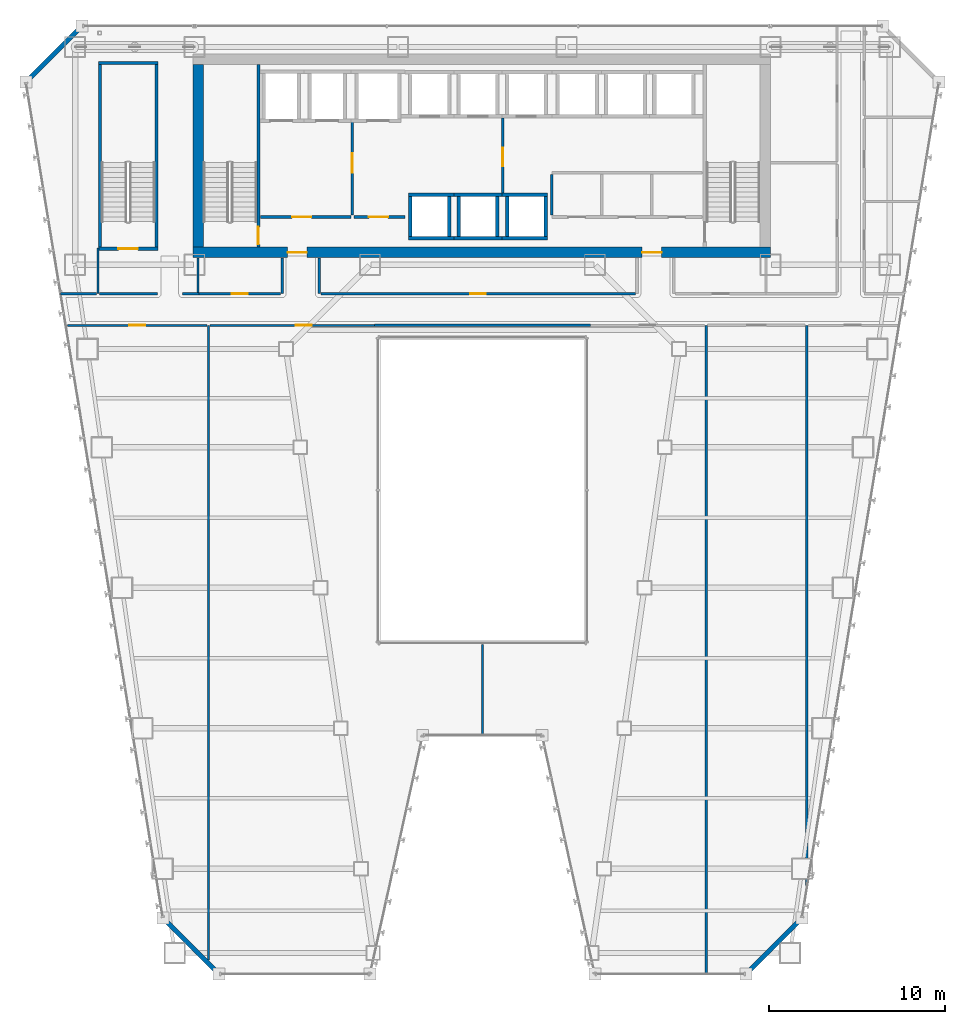
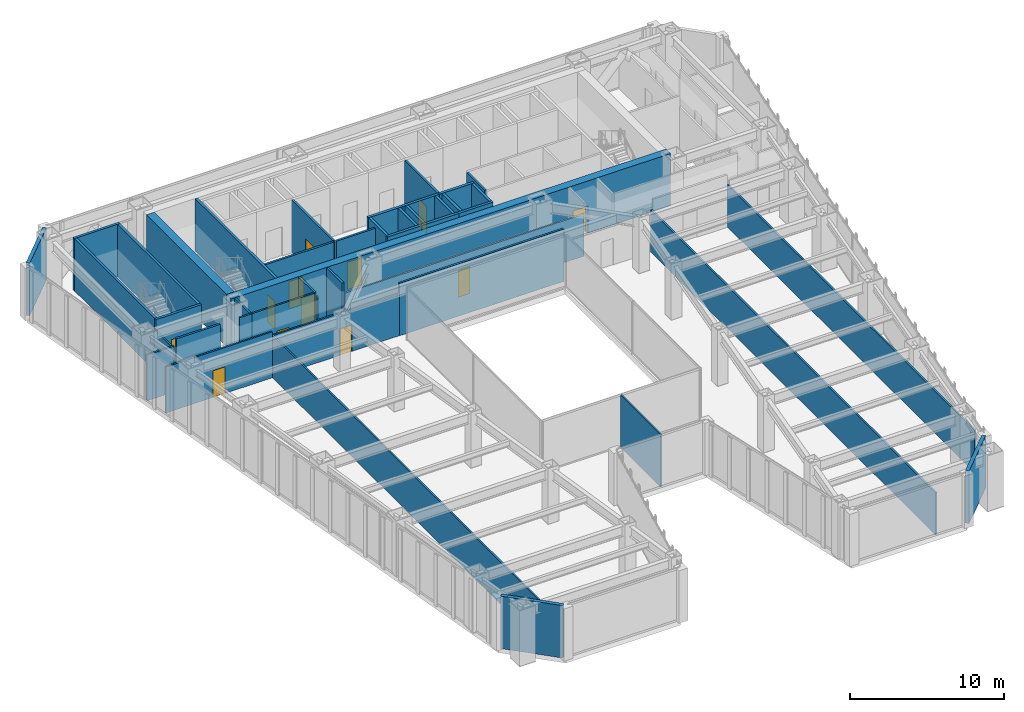
# One storey, part 36 of 49: 43 walls, 12 doors, 12 openings.
"""IFC4 building model written with IfcOpenShell, lengths in metres."""

import ifcopenshell
import ifcopenshell.guid

model = None  # the IFC model being written
_history = None  # IfcOwnerHistory: only IFC2X3 demands one
_inside = {}  # id of a spatial element -> (the spatial element, [elements in it])
_under = {}  # id of a project, library or spatial element -> (it, [spatial elements below it])
_declared = {}  # id of a project -> (the project, [libraries it declares])
_typed = {}  # id of a type object -> (the type object, [elements of that type])
_made_of = {}  # id of a material, layer set ... -> (it, [elements and type objects made of it])


def new_model(schema):
    """Start an empty IFC model of exactly this schema.

    Asked for "IFC4X3", IfcOpenShell would pick the latest addendum, in which some entities
    have other attributes; the version numbers below select the first issue.
    IFC2X3 requires an IfcOwnerHistory on every rooted entity: one is made here for all.
    """
    global model, _history
    if schema == "IFC4X3":
        model = ifcopenshell.file(schema_version=(4, 3, 0, 0))
    else:
        model = ifcopenshell.file(schema=schema)
    _inside.clear()
    _under.clear()
    _declared.clear()
    _typed.clear()
    _made_of.clear()
    _history = None
    if model.schema == "IFC2X3":
        org = make("IfcOrganization", Name="unknown")
        user = make(
            "IfcPersonAndOrganization",
            ThePerson=make("IfcPerson", FamilyName="unknown"),
            TheOrganization=org,
        )
        app = make(
            "IfcApplication",
            ApplicationDeveloper=org,
            Version="unknown",
            ApplicationFullName="unknown",
            ApplicationIdentifier="unknown",
        )
        _history = make(
            "IfcOwnerHistory",
            OwningUser=user,
            OwningApplication=app,
            ChangeAction="ADDED",
            CreationDate=0,
        )
    return model


def make(cls, **values):
    """One entity of the class cls with the attributes given. An attribute that is None is left unset."""
    return model.create_entity(
        cls, **{name: value for name, value in values.items() if value is not None}
    )


def rooted(cls, **values):
    """An entity with a GlobalId (a new one), such as an element, a storey or a relation."""
    return make(cls, GlobalId=ifcopenshell.guid.new(), OwnerHistory=_history, **values)


def si_unit(unit_type, name, prefix=None):
    """IfcSIUnit, for example si_unit("LENGTHUNIT", "METRE", prefix="MILLI")."""
    return make("IfcSIUnit", UnitType=unit_type, Prefix=prefix, Name=name)


def assignment(units):
    """IfcUnitAssignment: the units of a project."""
    return None if units is None else make("IfcUnitAssignment", Units=units)


def point(xyz):
    """IfcCartesianPoint."""
    return None if xyz is None else make("IfcCartesianPoint", Coordinates=xyz)


def direction(xyz):
    """IfcDirection."""
    return None if xyz is None else make("IfcDirection", DirectionRatios=xyz)


def frame(location, z_axis=None, x_axis=None):
    """IfcAxis2Placement3D, a coordinate frame: its origin and axes. An axis left out is left unset."""
    return make(
        "IfcAxis2Placement3D",
        Location=point(location),
        Axis=direction(z_axis),
        RefDirection=direction(x_axis),
    )


def frame_2d(location, x_axis=None):
    """IfcAxis2Placement2D, a coordinate frame in the plane: its origin and x axis."""
    return make(
        "IfcAxis2Placement2D", Location=point(location), RefDirection=direction(x_axis)
    )


def origin():
    """The frame at (0, 0, 0) with its axes left unset."""
    return frame((0.0, 0.0, 0.0))


def place(relative_to, where):
    """IfcLocalPlacement: puts the frame where relative to a parent placement (None: the world)."""
    return make(
        "IfcLocalPlacement", PlacementRelTo=relative_to, RelativePlacement=where
    )


def context(
    kind, dimensions, precision=None, world=None, true_north=None, identifier=None
):
    """IfcGeometricRepresentationContext, for example the 3D "Model" context."""
    return make(
        "IfcGeometricRepresentationContext",
        ContextIdentifier=identifier,
        ContextType=kind,
        CoordinateSpaceDimension=dimensions,
        Precision=precision,
        WorldCoordinateSystem=world,
        TrueNorth=true_north,
    )


def subcontext(parent, identifier, kind, view, scale=None):
    """IfcGeometricRepresentationSubContext, for example "Body" below "Model"."""
    return make(
        "IfcGeometricRepresentationSubContext",
        ContextIdentifier=identifier,
        ContextType=kind,
        ParentContext=parent,
        TargetScale=scale,
        TargetView=view,
    )


def project(units=None, contexts=None):
    """IfcProject with its units and contexts."""
    return rooted(
        "IfcProject",
        Name="project",
        RepresentationContexts=contexts,
        UnitsInContext=assignment(units),
    )


def spatial(cls, under=None, at=None, **own):
    """A site, building, storey or space (cls), placed at a placement, below another one or the project."""
    s = rooted(cls, ObjectPlacement=at, **own)
    if under is not None:
        _under.setdefault(under.id(), (under, []))[1].append(s)
    return s


def profile(cls, at=None, kind="AREA", **sizes):
    """A parametric profile (cls). Its sizes go by their IFC names, for example OverallWidth=200.0."""
    return make(cls, ProfileType=kind, Position=at, **sizes)


def rectangle(**sizes):
    """IfcRectangleProfileDef."""
    return profile("IfcRectangleProfileDef", **sizes)


def extrude(swept, where, along, depth):
    """IfcExtrudedAreaSolid: the profile swept, set in the frame where, extruded along a direction by depth."""
    return make(
        "IfcExtrudedAreaSolid",
        SweptArea=swept,
        Position=where,
        ExtrudedDirection=direction(along),
        Depth=depth,
    )


def shape(context_of_items, identifier, shape_type, items):
    """IfcShapeRepresentation: the items that make up one representation, for example the "Body"."""
    return make(
        "IfcShapeRepresentation",
        ContextOfItems=context_of_items,
        RepresentationIdentifier=identifier,
        RepresentationType=shape_type,
        Items=items,
    )


def material(Name=None, Category=None):
    """IfcMaterial."""
    return make("IfcMaterial", Name=Name, Category=Category)


def layer(
    of_material, thickness, ventilated=None, Name=None, Category=None, Priority=None
):
    """IfcMaterialLayer: one layer of a wall or slab, of a material (None: an air gap)."""
    return make(
        "IfcMaterialLayer",
        Material=of_material,
        LayerThickness=thickness,
        IsVentilated=ventilated,
        Name=Name,
        Category=Category,
        Priority=Priority,
    )


def layer_set(layers, Name=None):
    """IfcMaterialLayerSet."""
    return make("IfcMaterialLayerSet", MaterialLayers=layers, LayerSetName=Name)


def made_of(thing, what):
    """Note that an element or type object is made of a material, layer set ...; save() writes the relation."""
    if what is not None:
        _made_of.setdefault(what.id(), (what, []))[1].append(thing)
    return thing


def type_object(cls, material=None, **own):
    """A type object (cls), such as IfcWallType, which elements share."""
    return made_of(rooted(cls, **own), material)


def element(
    cls,
    number,
    at=None,
    inside=None,
    cuts=None,
    type_object=None,
    material=None,
    context=None,
    identifier="Body",
    shape_type=None,
    held_by="IfcProductDefinitionShape",
    body=None,
    shapes=None,
    **own,
):
    """One element of the class cls, such as IfcWall. Its Tag is "e" and its number.

    at: its placement. inside: the storey or other place that contains it. cuts: it is an
    opening in that element (IfcRelVoidsElement). A single representation is given by context,
    identifier, shape_type and body (its items); several are given by shapes. held_by: the class
    of the entity that holds the representations. save() writes the other relations.
    """
    e = rooted(cls, Tag="e%d" % number, ObjectPlacement=at, **own)
    if body is not None:
        shapes = [shape(context, identifier, shape_type, body)]
    if shapes is not None:
        e.Representation = make(held_by, Representations=shapes)
    if inside is not None:
        _inside.setdefault(inside.id(), (inside, []))[1].append(e)
    if cuts is not None:
        rooted(
            "IfcRelVoidsElement", RelatingBuildingElement=cuts, RelatedOpeningElement=e
        )
    if type_object is not None:
        _typed.setdefault(type_object.id(), (type_object, []))[1].append(e)
    return made_of(e, material)


def fill(opening, filler):
    """IfcRelFillsElement: the door or window that sits in an opening."""
    return rooted(
        "IfcRelFillsElement",
        RelatingOpeningElement=opening,
        RelatedBuildingElement=filler,
    )


def aggregate(whole, parts):
    """IfcRelAggregates: a whole, such as a stair, and the parts it consists of."""
    return rooted("IfcRelAggregates", RelatingObject=whole, RelatedObjects=parts)


def save(model, path):
    """Write the relations noted so far, then the file.

    IfcRelAggregates (storeys below a building ...), IfcRelContainedInSpatialStructure (elements
    in a storey), IfcRelDefinesByType, IfcRelAssociatesMaterial and IfcRelDeclares: one each for
    every whole, place, type object, material and project.
    """
    for whole, parts in _under.values():
        aggregate(whole, parts)
    for where, things in _inside.values():
        rooted(
            "IfcRelContainedInSpatialStructure",
            RelatedElements=things,
            RelatingStructure=where,
        )
    for kind, things in _typed.values():
        rooted("IfcRelDefinesByType", RelatedObjects=things, RelatingType=kind)
    for what, things in _made_of.values():
        rooted("IfcRelAssociatesMaterial", RelatedObjects=things, RelatingMaterial=what)
    for by, libraries in _declared.values():
        rooted("IfcRelDeclares", RelatingContext=by, RelatedDefinitions=libraries)
    model.write(path)


model = new_model("IFC4")

# Units and contexts
model_context = context("Model", 3, precision=1e-05, world=origin(), true_north=direction((0.0, 1.0)))
body_context = subcontext(model_context, "Body", "Model", "MODEL_VIEW")
ifc_project = project(units=[si_unit("LENGTHUNIT", "METRE"), si_unit("AREAUNIT", "SQUARE_METRE"), si_unit("VOLUMEUNIT", "CUBIC_METRE"), si_unit("PLANEANGLEUNIT", "RADIAN"), si_unit("MASSUNIT", "GRAM", prefix="KILO")], contexts=[model_context])

# Site, building, storey
site_placement = place(None, origin())
site = spatial("IfcSite", under=ifc_project, at=site_placement, CompositionType="ELEMENT")
building_placement = place(site_placement, origin())
building = spatial("IfcBuilding", under=site, at=building_placement, Name="Saevonmaru Cultural Tower", CompositionType="ELEMENT")
storey_placement = place(building_placement, frame((0.0, 0.0, 38.39990234375)))
storey = spatial("IfcBuildingStorey", under=building, at=storey_placement, Name="L07", CompositionType="ELEMENT", Elevation=38.39990234375)

# Wall, openings, doors
ifc_material_1 = material(Name="Concrete C60/75", Category="concrete")
ifc_layer_1 = layer(ifc_material_1, 0.60009765625, Name="Concrete C60/75")
ifc_layer_set_1 = layer_set([ifc_layer_1], Name="Concrete C60/75")
wall_type_1 = type_object("IfcWallType", Name="WL-CORE-600", PredefinedType="SHEAR", material=ifc_layer_set_1)
wall_1_placement = place(storey_placement, frame((13.5, 43.10009765625, 0.0), z_axis=(0.0, 0.0, 1.0), x_axis=(1.0, 0.0, 0.0)))
wall_1 = element("IfcWall", 1, at=wall_1_placement, inside=storey, type_object=wall_type_1, Name="L07 Tower RC core shear wall S", PredefinedType="SHEAR", context=body_context, shape_type="SweptSolid", body=[
    extrude(rectangle(XDim=32.89990234375, YDim=0.60009765625, at=frame_2d((16.449951171875, 0.0))), origin(), (0.0, 0.0, 1.0), 4.150146484375),
])
opening_1_placement = place(wall_1_placement, frame((5.39990234375, 0.0, 0.0)))
opening_1 = element("IfcOpeningElement", 2, at=opening_1_placement, cuts=wall_1, Name="Opening FD-2", PredefinedType="OPENING", context=body_context, shape_type="SweptSolid", body=[
    extrude(rectangle(XDim=1.10009765625, YDim=2.14990234375, at=frame_2d((0.550048828125, 1.074951171875))), frame((0.0, 0.31005859375, 0.0), z_axis=(0.0, -1.0, 0.0), x_axis=(1.0, 0.0, 0.0)), (0.0, 0.0, 1.0), 0.6201171875),
])
opening_2_placement = place(wall_1_placement, frame((25.60009765625, 0.0, 0.0)))
opening_2 = element("IfcOpeningElement", 3, at=opening_2_placement, cuts=wall_1, Name="Opening FD-2", PredefinedType="OPENING", context=body_context, shape_type="SweptSolid", body=[
    extrude(rectangle(XDim=1.10009765625, YDim=2.14990234375, at=frame_2d((0.550048828125, 1.074951171875))), frame((0.0, 0.31005859375, 0.0), z_axis=(0.0, -1.0, 0.0), x_axis=(1.0, 0.0, 0.0)), (0.0, 0.0, 1.0), 0.6201171875),
])
ifc_material_2 = material(Name="Satin Bronze Anodised Aluminium", Category="aluminium")
door_type_1 = type_object("IfcDoorType", Name="DR-FD60-1100", OperationType="SINGLE_SWING_LEFT", PredefinedType="DOOR", material=ifc_material_2)
door_1_placement = place(opening_1_placement, origin())
door_1 = element("IfcDoor", 4, at=door_1_placement, inside=storey, type_object=door_type_1, Name="L07 Core West Lobby Fire Door", OperationType="SINGLE_SWING_LEFT", OverallHeight=2.14990234375, OverallWidth=1.10009765625, PredefinedType="DOOR", context=body_context, shape_type="SweptSolid", body=[
    extrude(rectangle(XDim=1.10009765625, YDim=2.14990234375, at=frame_2d((0.550048828125, 1.074951171875))), frame((0.0, 0.02490234375, 0.0), z_axis=(0.0, -1.0, 0.0), x_axis=(1.0, 0.0, 0.0)), (0.0, 0.0, 1.0), 0.050048828125),
])
fill(opening_1, door_1)
door_2_placement = place(opening_2_placement, origin())
door_2 = element("IfcDoor", 5, at=door_2_placement, inside=storey, type_object=door_type_1, Name="L07 Core East Lobby Fire Door", OperationType="SINGLE_SWING_LEFT", OverallHeight=2.14990234375, OverallWidth=1.10009765625, PredefinedType="DOOR", context=body_context, shape_type="SweptSolid", body=[
    extrude(rectangle(XDim=1.10009765625, YDim=2.14990234375, at=frame_2d((0.550048828125, 1.074951171875))), frame((0.0, 0.02490234375, 0.0), z_axis=(0.0, -1.0, 0.0), x_axis=(1.0, 0.0, 0.0)), (0.0, 0.0, 1.0), 0.050048828125),
])
fill(opening_2, door_2)

# Wall
wall_2_placement = place(storey_placement, frame((13.800048828125, 43.39990234375, 0.0), z_axis=(0.0, 0.0, 1.0), x_axis=(0.0, 1.0, 0.0)))
element("IfcWall", 6, at=wall_2_placement, inside=storey, type_object=wall_type_1, Name="L07 Tower RC core shear wall W", PredefinedType="SHEAR", context=body_context, shape_type="SweptSolid", body=[
    extrude(rectangle(XDim=10.400146484375, YDim=0.60009765625, at=frame_2d((5.2001953125, 0.0))), origin(), (0.0, 0.0, 1.0), 4.150146484375),
])

# Wall, opening, door
ifc_material_3 = material(Name="Gypsum Fireboard Partition", Category="gypsum")
ifc_layer_2 = layer(ifc_material_3, 0.14990234375, Name="Gypsum Fireboard Partition")
ifc_layer_set_2 = layer_set([ifc_layer_2], Name="Gypsum Fireboard Partition")
wall_type_2 = type_object("IfcWallType", Name="WL-CORE-PART-150", PredefinedType="PARTITIONING", material=ifc_layer_set_2)
wall_3_placement = place(storey_placement, frame((17.360107421875, 45.1201171875, 0.0), z_axis=(0.0, 0.0, 1.0), x_axis=(1.0, 0.0, 0.0)))
wall_3 = element("IfcWall", 7, at=wall_3_placement, inside=storey, type_object=wall_type_2, Name="L07 Firefighting Lift Lobby South Wall", PredefinedType="PARTITIONING", context=body_context, shape_type="SweptSolid", body=[
    extrude(rectangle(XDim=5.139892578125, YDim=0.14990234375, at=frame_2d((2.56982421875, 0.0))), origin(), (0.0, 0.0, 1.0), 4.150146484375),
])
opening_3_placement = place(wall_3_placement, frame((1.800048828125, 0.0, 0.0)))
opening_3 = element("IfcOpeningElement", 8, at=opening_3_placement, cuts=wall_3, Name="Opening FD-2", PredefinedType="OPENING", context=body_context, shape_type="SweptSolid", body=[
    extrude(rectangle(XDim=1.10009765625, YDim=2.14990234375, at=frame_2d((0.550048828125, 1.074951171875))), frame((0.0, 0.0849609375, 0.0), z_axis=(0.0, -1.0, 0.0), x_axis=(1.0, 0.0, 0.0)), (0.0, 0.0, 1.0), 0.169921875),
])
door_3_placement = place(opening_3_placement, origin())
door_3 = element("IfcDoor", 9, at=door_3_placement, inside=storey, type_object=door_type_1, Name="L07 Firefighting Lift Lobby South Door", OperationType="SINGLE_SWING_LEFT", OverallHeight=2.14990234375, OverallWidth=1.10009765625, PredefinedType="DOOR", context=body_context, shape_type="SweptSolid", body=[
    extrude(rectangle(XDim=1.10009765625, YDim=2.14990234375, at=frame_2d((0.550048828125, 1.074951171875))), frame((0.0, 0.02490234375, 0.0), z_axis=(0.0, -1.0, 0.0), x_axis=(1.0, 0.0, 0.0)), (0.0, 0.0, 1.0), 0.050048828125),
])
fill(opening_3, door_3)

wall_4_placement = place(storey_placement, frame((22.580078125, 50.550048828125, 0.0), z_axis=(0.0, 0.0, 1.0), x_axis=(0.0, -1.0, 0.0)))
wall_4 = element("IfcWall", 10, at=wall_4_placement, inside=storey, type_object=wall_type_2, Name="L07 Firefighting Lift Lobby East Wall", PredefinedType="PARTITIONING", context=body_context, shape_type="SweptSolid", body=[
    extrude(rectangle(XDim=5.330078125, YDim=0.14990234375, at=frame_2d((2.6650390625, 0.0))), origin(), (0.0, 0.0, 1.0), 4.150146484375),
])
opening_4_placement = place(wall_4_placement, frame((1.800048828125, 0.0, 0.0)))
opening_4 = element("IfcOpeningElement", 11, at=opening_4_placement, cuts=wall_4, Name="Opening FD-2", PredefinedType="OPENING", context=body_context, shape_type="SweptSolid", body=[
    extrude(rectangle(XDim=1.10009765625, YDim=2.14990234375, at=frame_2d((0.550048828125, 1.074951171875))), frame((0.0, 0.0849609375, 0.0), z_axis=(0.0, -1.0, 0.0), x_axis=(1.0, 0.0, 0.0)), (0.0, 0.0, 1.0), 0.169921875),
])
door_4_placement = place(opening_4_placement, origin())
door_4 = element("IfcDoor", 12, at=door_4_placement, inside=storey, type_object=door_type_1, Name="L07 Firefighting Lift Lobby East Door", OperationType="SINGLE_SWING_LEFT", OverallHeight=2.14990234375, OverallWidth=1.10009765625, PredefinedType="DOOR", context=body_context, shape_type="SweptSolid", body=[
    extrude(rectangle(XDim=1.10009765625, YDim=2.14990234375, at=frame_2d((0.550048828125, 1.074951171875))), frame((0.0, 0.02490234375, 0.0), z_axis=(0.0, -1.0, 0.0), x_axis=(1.0, 0.0, 0.0)), (0.0, 0.0, 1.0), 0.050048828125),
])
fill(opening_4, door_4)

wall_5_placement = place(storey_placement, frame((22.679931640625, 45.1201171875, 0.0), z_axis=(0.0, 0.0, 1.0), x_axis=(1.0, 0.0, 0.0)))
wall_5 = element("IfcWall", 13, at=wall_5_placement, inside=storey, type_object=wall_type_2, Name="L07 Service Lift Vestibule Wall", PredefinedType="PARTITIONING", context=body_context, shape_type="SweptSolid", body=[
    extrude(rectangle(XDim=2.920166015625, YDim=0.14990234375, at=frame_2d((1.4599609375, 0.0))), origin(), (0.0, 0.0, 1.0), 4.150146484375),
])
opening_5_placement = place(wall_5_placement, frame((0.85009765625, 0.0, 0.0)))
opening_5 = element("IfcOpeningElement", 14, at=opening_5_placement, cuts=wall_5, Name="Opening FD-2", PredefinedType="OPENING", context=body_context, shape_type="SweptSolid", body=[
    extrude(rectangle(XDim=1.10009765625, YDim=2.14990234375, at=frame_2d((0.550048828125, 1.074951171875))), frame((0.0, 0.0849609375, 0.0), z_axis=(0.0, -1.0, 0.0), x_axis=(1.0, 0.0, 0.0)), (0.0, 0.0, 1.0), 0.169921875),
])
door_5_placement = place(opening_5_placement, origin())
door_5 = element("IfcDoor", 15, at=door_5_placement, inside=storey, type_object=door_type_1, Name="L07 Service Lift Vestibule Door", OperationType="SINGLE_SWING_LEFT", OverallHeight=2.14990234375, OverallWidth=1.10009765625, PredefinedType="DOOR", context=body_context, shape_type="SweptSolid", body=[
    extrude(rectangle(XDim=1.10009765625, YDim=2.14990234375, at=frame_2d((0.550048828125, 1.074951171875))), frame((0.0, 0.02490234375, 0.0), z_axis=(0.0, -1.0, 0.0), x_axis=(1.0, 0.0, 0.0)), (0.0, 0.0, 1.0), 0.050048828125),
])
fill(opening_5, door_5)

wall_6_placement = place(storey_placement, frame((31.14990234375, 46.5, 0.0), z_axis=(0.0, 0.0, 1.0), x_axis=(0.0, 1.0, 0.0)))
wall_6 = element("IfcWall", 16, at=wall_6_placement, inside=storey, type_object=wall_type_2, Name="L07 Lift Zone Baffle 1", PredefinedType="PARTITIONING", context=body_context, shape_type="SweptSolid", body=[
    extrude(rectangle(XDim=4.25, YDim=0.14990234375, at=frame_2d((2.125, 0.0))), origin(), (0.0, 0.0, 1.0), 4.150146484375),
])
opening_6_placement = place(wall_6_placement, frame((1.5, 0.0, 0.0)))
opening_6 = element("IfcOpeningElement", 17, at=opening_6_placement, cuts=wall_6, Name="Opening ID-1", PredefinedType="OPENING", context=body_context, shape_type="SweptSolid", body=[
    extrude(rectangle(XDim=1.050048828125, YDim=2.14990234375, at=frame_2d((0.52490234375, 1.074951171875))), frame((0.0, 0.0849609375, 0.0), z_axis=(0.0, -1.0, 0.0), x_axis=(1.0, 0.0, 0.0)), (0.0, 0.0, 1.0), 0.169921875),
])
door_type_2 = type_object("IfcDoorType", Name="DR-INT-1050", OperationType="SINGLE_SWING_LEFT", PredefinedType="DOOR", material=ifc_material_2)
door_6_placement = place(opening_6_placement, origin())
door_6 = element("IfcDoor", 18, at=door_6_placement, inside=storey, type_object=door_type_2, Name="L07 West-Mid Lobby Portal", OperationType="SINGLE_SWING_LEFT", OverallHeight=2.14990234375, OverallWidth=1.050048828125, PredefinedType="DOOR", context=body_context, shape_type="SweptSolid", body=[
    extrude(rectangle(XDim=1.050048828125, YDim=2.14990234375, at=frame_2d((0.52490234375, 1.074951171875))), frame((0.0, 0.02490234375, 0.0), z_axis=(0.0, -1.0, 0.0), x_axis=(1.0, 0.0, 0.0)), (0.0, 0.0, 1.0), 0.050048828125),
])
fill(opening_6, door_6)

# Walls
wall_7_placement = place(storey_placement, frame((33.949951171875, 45.219970703125, 0.0), z_axis=(0.0, 0.0, 1.0), x_axis=(0.0, 1.0, 0.0)))
element("IfcWall", 19, at=wall_7_placement, inside=storey, type_object=wall_type_2, Name="L07 Core Utility West Wall", PredefinedType="PARTITIONING", context=body_context, shape_type="SweptSolid", body=[
    extrude(rectangle(XDim=2.330078125, YDim=0.14990234375, at=frame_2d((1.1650390625, 0.0))), origin(), (0.0, 0.0, 1.0), 4.150146484375),
])
ifc_material_4 = material(Name="Granite-Clad Precast Concrete C40/50", Category="masonry")
ifc_layer_3 = layer(ifc_material_4, 0.260009765625, Name="Granite-Clad Precast Concrete C40/50")
ifc_layer_set_3 = layer_set([ifc_layer_3], Name="Granite-Clad Precast Concrete C40/50")
wall_type_3 = type_object("IfcWallType", Name="WL-EXT-SPANDREL-260", PredefinedType="STANDARD", material=ifc_layer_set_3)
for number, where, z_axis, x_axis, name in (
    (20, (11.9130859375, 5.0869140625, 0.0), (0.0, 0.0, 1.0), (0.707106781187, -0.707106781187, 0.0), "L07 Chamfer Corner Spandrel Wall E1"),
    (21, (45.113037109375, 2.113037109375, 0.0), (0.0, 0.0, 1.0), (0.707106781187, 0.707106781187, 0.0), "L07 Chamfer Corner Spandrel Wall E7"),
    (22, (7.0869140625, 55.886962890625, 0.0), (0.0, 0.0, 1.0), (-0.707106781187, -0.707106781187, 0.0), "L07 Chamfer Corner Spandrel Wall E11"),
):
    element("IfcWall", number, at=place(storey_placement, frame(where, z_axis=z_axis, x_axis=x_axis)), inside=storey, type_object=wall_type_3, Name=name, PredefinedType="STANDARD", context=body_context, shape_type="SweptSolid", body=[
        extrude(rectangle(XDim=4.205810546875, YDim=0.260009765625, at=frame_2d((2.10302734375, 0.0))), origin(), (0.0, 0.0, 1.0), 4.150146484375),
    ])
ifc_layer_4 = layer(ifc_material_3, 0.14990234375, Name="Gypsum Fireboard Partition")
ifc_layer_set_4 = layer_set([ifc_layer_4], Name="Gypsum Fireboard Partition")
wall_type_4 = type_object("IfcWallType", Name="WL-PART-FIRE-150", PredefinedType="PARTITIONING", material=ifc_layer_set_4)
wall_8_placement = place(storey_placement, frame((8.179931640625, 40.75, 0.0), z_axis=(0.0, 0.0, 1.0), x_axis=(1.0, 0.0, 0.0)))
element("IfcWall", 23, at=wall_8_placement, inside=storey, type_object=wall_type_4, Name="L07 Stair ST-3 South Vestibule Wall", PredefinedType="PARTITIONING", context=body_context, shape_type="SweptSolid", body=[
    extrude(rectangle(XDim=3.300048828125, YDim=0.14990234375, at=frame_2d((1.64990234375, 0.0))), origin(), (0.0, 0.0, 1.0), 4.150146484375),
])
for number, where, z_axis, x_axis, name in (
    (24, (18.60009765625, 40.75, 0.0), (0.0, 0.0, 1.0), (0.0, 1.0, 0.0), "L07 Core Portal Side Wall W1"),
    (25, (20.699951171875, 40.75, 0.0), (0.0, 0.0, 1.0), (0.0, 1.0, 0.0), "L07 Core Portal Side Wall W2"),
):
    element("IfcWall", number, at=place(storey_placement, frame(where, z_axis=z_axis, x_axis=x_axis)), inside=storey, type_object=wall_type_4, Name=name, PredefinedType="PARTITIONING", context=body_context, shape_type="SweptSolid", body=[
        extrude(rectangle(XDim=2.030029296875, YDim=0.14990234375, at=frame_2d((1.01513671875, 0.0))), origin(), (0.0, 0.0, 1.0), 4.150146484375),
    ])
wall_9_placement = place(storey_placement, frame((23.85009765625, 38.949951171875, 0.0), z_axis=(0.0, 0.0, 1.0), x_axis=(1.0, 0.0, 0.0)))
element("IfcWall", 26, at=wall_9_placement, inside=storey, type_object=wall_type_4, Name="L07 North Atrium Corridor Wall", PredefinedType="PARTITIONING", context=body_context, shape_type="SweptSolid", body=[
    extrude(rectangle(XDim=12.2998046875, YDim=0.14990234375, at=frame_2d((6.14990234375, 0.0))), origin(), (0.0, 0.0, 1.0), 4.150146484375),
])
ifc_layer_5 = layer(ifc_material_3, 0.1201171875, Name="Gypsum Fireboard Partition")
ifc_layer_set_5 = layer_set([ifc_layer_5], Name="Gypsum Fireboard Partition")
wall_type_5 = type_object("IfcWallType", Name="WL-PART-GYP-120", PredefinedType="PARTITIONING", material=ifc_layer_set_5)
wall_10_placement = place(storey_placement, frame((12.919921875, 40.75, 0.0), z_axis=(0.0, 0.0, 1.0), x_axis=(1.0, 0.0, 0.0)))
element("IfcWall", 27, at=wall_10_placement, inside=storey, type_object=wall_type_5, Name="L07 NW Inner South Wall", PredefinedType="PARTITIONING", context=body_context, shape_type="SweptSolid", body=[
    extrude(rectangle(XDim=0.93017578125, YDim=0.1201171875, at=frame_2d((0.465087890625, 0.0))), origin(), (0.0, 0.0, 1.0), 4.150146484375),
])
wall_11_placement = place(storey_placement, frame((13.800048828125, 40.830078125, 0.0), z_axis=(0.0, 0.0, 1.0), x_axis=(0.0, 1.0, 0.0)))
element("IfcWall", 28, at=wall_11_placement, inside=storey, type_object=wall_type_5, Name="L07 NW Inner Core Return", PredefinedType="PARTITIONING", context=body_context, shape_type="SweptSolid", body=[
    extrude(rectangle(XDim=1.949951171875, YDim=0.1201171875, at=frame_2d((0.97509765625, 0.0))), origin(), (0.0, 0.0, 1.0), 4.150146484375),
])
wall_12_placement = place(storey_placement, frame((8.10009765625, 40.75, 0.0), z_axis=(0.0, 0.0, 1.0), x_axis=(0.0, 1.0, 0.0)))
element("IfcWall", 29, at=wall_12_placement, inside=storey, type_object=wall_type_5, Name="L07 NW Stair Return", PredefinedType="PARTITIONING", context=body_context, shape_type="SweptSolid", body=[
    extrude(rectangle(XDim=2.60009765625, YDim=0.1201171875, at=frame_2d((1.300048828125, 0.0))), origin(), (0.0, 0.0, 1.0), 3.335205078125),
])
wall_13_placement = place(storey_placement, frame((5.9794921875, 40.75, 0.0), z_axis=(0.0, 0.0, 1.0), x_axis=(1.0, 0.0, 0.0)))
element("IfcWall", 30, at=wall_13_placement, inside=storey, type_object=wall_type_5, Name="L07 Archival Conservation Office Corridor Wall", PredefinedType="PARTITIONING", context=body_context, shape_type="SweptSolid", body=[
    extrude(rectangle(XDim=2.04052734375, YDim=0.1201171875, at=frame_2d((1.020263671875, 0.0))), origin(), (0.0, 0.0, 1.0), 3.635009765625),
])

# Wall, opening, door
wall_14_placement = place(storey_placement, frame((13.85009765625, 40.75, 0.0), z_axis=(0.0, 0.0, 1.0), x_axis=(1.0, 0.0, 0.0)))
wall_14 = element("IfcWall", 31, at=wall_14_placement, inside=storey, type_object=wall_type_5, Name="L07 Curatorial Research Office Corridor Wall", PredefinedType="PARTITIONING", context=body_context, shape_type="SweptSolid", body=[
    extrude(rectangle(XDim=4.65478515625, YDim=0.1201171875, at=frame_2d((2.327392578125, 0.0))), origin(), (0.0, 0.0, 1.0), 4.150146484375),
])
opening_7_placement = place(wall_14_placement, frame((1.876953125, 0.0, 0.0)))
opening_7 = element("IfcOpeningElement", 32, at=opening_7_placement, cuts=wall_14, Name="Opening ID-2", PredefinedType="OPENING", context=body_context, shape_type="SweptSolid", body=[
    extrude(rectangle(XDim=0.89990234375, YDim=2.10009765625, at=frame_2d((0.449951171875, 1.050048828125))), frame((0.0, 0.070068359375, 0.0), z_axis=(0.0, -1.0, 0.0), x_axis=(1.0, 0.0, 0.0)), (0.0, 0.0, 1.0), 0.14013671875),
])
ifc_material_5 = material(Name="Acoustic Stained Oak Timber", Category="wood")
door_type_3 = type_object("IfcDoorType", Name="DR-INT-900", OperationType="SINGLE_SWING_RIGHT", PredefinedType="DOOR", material=ifc_material_5)
door_7_placement = place(opening_7_placement, origin())
door_7 = element("IfcDoor", 33, at=door_7_placement, inside=storey, type_object=door_type_3, Name="L07 Curatorial Research Office Door", OperationType="SINGLE_SWING_LEFT", OverallHeight=2.10009765625, OverallWidth=0.89990234375, PredefinedType="DOOR", context=body_context, shape_type="SweptSolid", body=[
    extrude(rectangle(XDim=0.89990234375, YDim=2.10009765625, at=frame_2d((0.449951171875, 1.050048828125))), frame((0.0, 0.02490234375, 0.0), z_axis=(0.0, -1.0, 0.0), x_axis=(1.0, 0.0, 0.0)), (0.0, 0.0, 1.0), 0.050048828125),
])
fill(opening_7, door_7)

wall_15_placement = place(storey_placement, frame((20.794921875, 40.75, 0.0), z_axis=(0.0, 0.0, 1.0), x_axis=(1.0, 0.0, 0.0)))
wall_15 = element("IfcWall", 34, at=wall_15_placement, inside=storey, type_object=wall_type_5, Name="L07 Archival Conservation Office Corridor Wall", PredefinedType="PARTITIONING", context=body_context, shape_type="SweptSolid", body=[
    extrude(rectangle(XDim=17.91015625, YDim=0.1201171875, at=frame_2d((8.955078125, 0.0))), origin(), (0.0, 0.0, 1.0), 3.335205078125),
])
opening_8_placement = place(wall_15_placement, frame((8.5048828125, 0.0, 0.0)))
opening_8 = element("IfcOpeningElement", 35, at=opening_8_placement, cuts=wall_15, Name="Opening ID-2", PredefinedType="OPENING", context=body_context, shape_type="SweptSolid", body=[
    extrude(rectangle(XDim=0.89990234375, YDim=2.10009765625, at=frame_2d((0.449951171875, 1.050048828125))), frame((0.0, 0.070068359375, 0.0), z_axis=(0.0, -1.0, 0.0), x_axis=(1.0, 0.0, 0.0)), (0.0, 0.0, 1.0), 0.14013671875),
])
door_8_placement = place(opening_8_placement, origin())
door_8 = element("IfcDoor", 36, at=door_8_placement, inside=storey, type_object=door_type_3, Name="L07 Archival Conservation Office Door", OperationType="SINGLE_SWING_RIGHT", OverallHeight=2.10009765625, OverallWidth=0.89990234375, PredefinedType="DOOR", context=body_context, shape_type="SweptSolid", body=[
    extrude(rectangle(XDim=0.89990234375, YDim=2.10009765625, at=frame_2d((0.449951171875, 1.050048828125))), frame((0.0, 0.02490234375, 0.0), z_axis=(0.0, -1.0, 0.0), x_axis=(1.0, 0.0, 0.0)), (0.0, 0.0, 1.0), 0.050048828125),
])
fill(opening_8, door_8)

# Walls
wall_16_placement = place(storey_placement, frame((14.39990234375, 2.81201171875, 0.0), z_axis=(0.0, 0.0, 1.0), x_axis=(0.0, 1.0, 0.0)))
element("IfcWall", 37, at=wall_16_placement, inside=storey, type_object=wall_type_5, Name="L07 West Bay Divider 1", PredefinedType="PARTITIONING", context=body_context, shape_type="SweptSolid", body=[
    extrude(rectangle(XDim=36.137939453125, YDim=0.1201171875, at=frame_2d((18.06884765625, 0.0))), origin(), (0.0, 0.0, 1.0), 3.335205078125),
])
wall_17_placement = place(storey_placement, frame((30.0, 15.60498046875, 0.0), z_axis=(0.0, 0.0, 1.0), x_axis=(0.0, 1.0, 0.0)))
element("IfcWall", 38, at=wall_17_placement, inside=storey, type_object=wall_type_5, Name="L07 South Atrium Center Split", PredefinedType="PARTITIONING", context=body_context, shape_type="SweptSolid", body=[
    extrude(rectangle(XDim=5.175048828125, YDim=0.1201171875, at=frame_2d((2.58740234375, 0.0))), origin(), (0.0, 0.0, 1.0), 4.150146484375),
])

# Wall, opening, door
wall_18_placement = place(storey_placement, frame((6.36279296875, 38.949951171875, 0.0), z_axis=(0.0, 0.0, 1.0), x_axis=(1.0, 0.0, 0.0)))
wall_18 = element("IfcWall", 39, at=wall_18_placement, inside=storey, type_object=wall_type_5, Name="L07 Curatorial Research Office Corridor Wall", PredefinedType="PARTITIONING", context=body_context, shape_type="SweptSolid", body=[
    extrude(rectangle(XDim=7.957275390625, YDim=0.1201171875, at=frame_2d((3.978515625, 0.0))), origin(), (0.0, 0.0, 1.0), 3.635009765625),
])
opening_9_placement = place(wall_18_placement, frame((3.529052734375, 0.0, 0.0)))
opening_9 = element("IfcOpeningElement", 40, at=opening_9_placement, cuts=wall_18, Name="Opening ID-2", PredefinedType="OPENING", context=body_context, shape_type="SweptSolid", body=[
    extrude(rectangle(XDim=0.89990234375, YDim=2.10009765625, at=frame_2d((0.449951171875, 1.050048828125))), frame((0.0, 0.070068359375, 0.0), z_axis=(0.0, -1.0, 0.0), x_axis=(1.0, 0.0, 0.0)), (0.0, 0.0, 1.0), 0.14013671875),
])
door_9_placement = place(opening_9_placement, origin())
door_9 = element("IfcDoor", 41, at=door_9_placement, inside=storey, type_object=door_type_3, Name="L07 Curatorial Research Office Door", OperationType="SINGLE_SWING_RIGHT", OverallHeight=2.10009765625, OverallWidth=0.89990234375, PredefinedType="DOOR", context=body_context, shape_type="SweptSolid", body=[
    extrude(rectangle(XDim=0.89990234375, YDim=2.10009765625, at=frame_2d((0.449951171875, 1.050048828125))), frame((0.0, 0.02490234375, 0.0), z_axis=(0.0, -1.0, 0.0), x_axis=(1.0, 0.0, 0.0)), (0.0, 0.0, 1.0), 0.050048828125),
])
fill(opening_9, door_9)

wall_19_placement = place(storey_placement, frame((14.47998046875, 38.949951171875, 0.0), z_axis=(0.0, 0.0, 1.0), x_axis=(1.0, 0.0, 0.0)))
wall_19 = element("IfcWall", 42, at=wall_19_placement, inside=storey, type_object=wall_type_5, Name="L07 Archival Conservation Office Corridor Wall", PredefinedType="PARTITIONING", context=body_context, shape_type="SweptSolid", body=[
    extrude(rectangle(XDim=9.3701171875, YDim=0.1201171875, at=frame_2d((4.68505859375, 0.0))), origin(), (0.0, 0.0, 1.0), 3.335205078125),
])
opening_10_placement = place(wall_19_placement, frame((4.89501953125, 0.0, 0.0)))
opening_10 = element("IfcOpeningElement", 43, at=opening_10_placement, cuts=wall_19, Name="Opening ID-2", PredefinedType="OPENING", context=body_context, shape_type="SweptSolid", body=[
    extrude(rectangle(XDim=0.89990234375, YDim=2.10009765625, at=frame_2d((0.449951171875, 1.050048828125))), frame((0.0, 0.070068359375, 0.0), z_axis=(0.0, -1.0, 0.0), x_axis=(1.0, 0.0, 0.0)), (0.0, 0.0, 1.0), 0.14013671875),
])
door_10_placement = place(opening_10_placement, origin())
door_10 = element("IfcDoor", 44, at=door_10_placement, inside=storey, type_object=door_type_3, Name="L07 Archival Conservation Office Door", OperationType="SINGLE_SWING_LEFT", OverallHeight=2.10009765625, OverallWidth=0.89990234375, PredefinedType="DOOR", context=body_context, shape_type="SweptSolid", body=[
    extrude(rectangle(XDim=0.89990234375, YDim=2.10009765625, at=frame_2d((0.449951171875, 1.050048828125))), frame((0.0, 0.02490234375, 0.0), z_axis=(0.0, -1.0, 0.0), x_axis=(1.0, 0.0, 0.0)), (0.0, 0.0, 1.0), 0.050048828125),
])
fill(opening_10, door_10)

# Walls
ifc_layer_6 = layer(ifc_material_3, 0.135009765625, Name="Gypsum Fireboard Partition")
ifc_layer_set_6 = layer_set([ifc_layer_6], Name="Gypsum Fireboard Partition")
wall_type_6 = type_object("IfcWallType", Name="WL-PART-GYP-135", PredefinedType="PARTITIONING", material=ifc_layer_set_6)
wall_20_placement = place(storey_placement, frame((42.739990234375, 2.0048828125, 0.0), z_axis=(0.0, 0.0, 1.0), x_axis=(0.0, 1.0, 0.0)))
element("IfcWall", 45, at=wall_20_placement, inside=storey, type_object=wall_type_6, Name="L07 East Bay Divider 1", PredefinedType="PARTITIONING", context=body_context, shape_type="SweptSolid", body=[
    extrude(rectangle(XDim=36.945068359375, YDim=0.135009765625, at=frame_2d((18.47265625, 0.0))), origin(), (0.0, 0.0, 1.0), 3.335205078125),
])
wall_21_placement = place(storey_placement, frame((48.469970703125, 6.878662109375, 0.0), z_axis=(0.0, 0.0, 1.0), x_axis=(0.0, 1.0, 0.0)))
element("IfcWall", 46, at=wall_21_placement, inside=storey, type_object=wall_type_6, Name="L07 East Bay Divider 2", PredefinedType="PARTITIONING", context=body_context, shape_type="SweptSolid", body=[
    extrude(rectangle(XDim=32.0712890625, YDim=0.135009765625, at=frame_2d((16.03564453125, 0.0))), origin(), (0.0, 0.0, 1.0), 3.335205078125),
])
ifc_material_6 = material(Name="Concrete C40/50", Category="concrete")
ifc_layer_7 = layer(ifc_material_6, 0.199951171875, Name="Concrete C40/50")
ifc_layer_set_7 = layer_set([ifc_layer_7], Name="Concrete C40/50")
wall_type_7 = type_object("IfcWallType", Name="WL-SHAFT-200", PredefinedType="SHEAR", material=ifc_layer_set_7)
for number, where, z_axis, x_axis, name in (
    (47, (25.800048828125, 43.89990234375, 0.0), (0.0, 0.0, 1.0), (1.0, 0.0, 0.0), "L07 Lift PL-M1 Hoistway Wall S"),
    (48, (25.800048828125, 46.39990234375, 0.0), (0.0, 0.0, 1.0), (1.0, 0.0, 0.0), "L07 Lift PL-M1 Hoistway Wall N"),
):
    element("IfcWall", number, at=place(storey_placement, frame(where, z_axis=z_axis, x_axis=x_axis)), inside=storey, type_object=wall_type_7, Name=name, PredefinedType="SHEAR", context=body_context, shape_type="SweptSolid", body=[
        extrude(rectangle(XDim=2.574951171875, YDim=0.199951171875, at=frame_2d((1.28759765625, 0.0))), origin(), (0.0, 0.0, 1.0), 4.150146484375),
    ])
for number, where, z_axis, x_axis, name in (
    (49, (25.89990234375, 44.0, 0.0), (0.0, 0.0, 1.0), (0.0, 1.0, 0.0), "L07 Lift PL-M1 Hoistway Wall W"),
    (50, (28.10009765625, 44.0, 0.0), (0.0, 0.0, 1.0), (0.0, 1.0, 0.0), "L07 Lift PL-M1 Hoistway Wall E"),
):
    element("IfcWall", number, at=place(storey_placement, frame(where, z_axis=z_axis, x_axis=x_axis)), inside=storey, type_object=wall_type_7, Name=name, PredefinedType="SHEAR", context=body_context, shape_type="SweptSolid", body=[
        extrude(rectangle(XDim=2.300048828125, YDim=0.199951171875, at=frame_2d((1.14990234375, 0.0))), origin(), (0.0, 0.0, 1.0), 4.150146484375),
    ])
for number, where, z_axis, x_axis, name in (
    (51, (28.375, 43.89990234375, 0.0), (0.0, 0.0, 1.0), (1.0, 0.0, 0.0), "L07 Lift PL-M2 Hoistway Wall S"),
    (52, (28.375, 46.39990234375, 0.0), (0.0, 0.0, 1.0), (1.0, 0.0, 0.0), "L07 Lift PL-M2 Hoistway Wall N"),
):
    element("IfcWall", number, at=place(storey_placement, frame(where, z_axis=z_axis, x_axis=x_axis)), inside=storey, type_object=wall_type_7, Name=name, PredefinedType="SHEAR", context=body_context, shape_type="SweptSolid", body=[
        extrude(rectangle(XDim=2.75, YDim=0.199951171875, at=frame_2d((1.375, 0.0))), origin(), (0.0, 0.0, 1.0), 4.150146484375),
    ])
for number, where, z_axis, x_axis, name in (
    (53, (28.64990234375, 44.0, 0.0), (0.0, 0.0, 1.0), (0.0, 1.0, 0.0), "L07 Lift PL-M2 Hoistway Wall W"),
    (54, (30.85009765625, 44.0, 0.0), (0.0, 0.0, 1.0), (0.0, 1.0, 0.0), "L07 Lift PL-M2 Hoistway Wall E"),
):
    element("IfcWall", number, at=place(storey_placement, frame(where, z_axis=z_axis, x_axis=x_axis)), inside=storey, type_object=wall_type_7, Name=name, PredefinedType="SHEAR", context=body_context, shape_type="SweptSolid", body=[
        extrude(rectangle(XDim=2.300048828125, YDim=0.199951171875, at=frame_2d((1.14990234375, 0.0))), origin(), (0.0, 0.0, 1.0), 4.150146484375),
    ])
for number, where, z_axis, x_axis, name in (
    (55, (31.125, 43.89990234375, 0.0), (0.0, 0.0, 1.0), (1.0, 0.0, 0.0), "L07 Lift PL-M3 Hoistway Wall S"),
    (56, (31.125, 46.39990234375, 0.0), (0.0, 0.0, 1.0), (1.0, 0.0, 0.0), "L07 Lift PL-M3 Hoistway Wall N"),
):
    element("IfcWall", number, at=place(storey_placement, frame(where, z_axis=z_axis, x_axis=x_axis)), inside=storey, type_object=wall_type_7, Name=name, PredefinedType="SHEAR", context=body_context, shape_type="SweptSolid", body=[
        extrude(rectangle(XDim=2.574951171875, YDim=0.199951171875, at=frame_2d((1.28759765625, 0.0))), origin(), (0.0, 0.0, 1.0), 4.150146484375),
    ])
for number, where, z_axis, x_axis, name in (
    (57, (31.39990234375, 44.0, 0.0), (0.0, 0.0, 1.0), (0.0, 1.0, 0.0), "L07 Lift PL-M3 Hoistway Wall W"),
    (58, (33.60009765625, 44.0, 0.0), (0.0, 0.0, 1.0), (0.0, 1.0, 0.0), "L07 Lift PL-M3 Hoistway Wall E"),
):
    element("IfcWall", number, at=place(storey_placement, frame(where, z_axis=z_axis, x_axis=x_axis)), inside=storey, type_object=wall_type_7, Name=name, PredefinedType="SHEAR", context=body_context, shape_type="SweptSolid", body=[
        extrude(rectangle(XDim=2.300048828125, YDim=0.199951171875, at=frame_2d((1.14990234375, 0.0))), origin(), (0.0, 0.0, 1.0), 4.150146484375),
    ])

# Wall, opening, door
ifc_layer_8 = layer(ifc_material_6, 0.179931640625, Name="Concrete C40/50")
ifc_layer_set_8 = layer_set([ifc_layer_8], Name="Concrete C40/50")
wall_type_8 = type_object("IfcWallType", Name="WL-STSHAFT-180", PredefinedType="SHEAR", material=ifc_layer_set_8)
wall_22_placement = place(storey_placement, frame((17.239990234375, 43.39990234375, 0.0), z_axis=(0.0, 0.0, 1.0), x_axis=(0.0, 1.0, 0.0)))
wall_22 = element("IfcWall", 59, at=wall_22_placement, inside=storey, type_object=wall_type_8, Name="L07 Stair ST-1 Structural Shaft Wall 1", PredefinedType="SHEAR", context=body_context, shape_type="SweptSolid", body=[
    extrude(rectangle(XDim=10.400146484375, YDim=0.179931640625, at=frame_2d((5.2001953125, 0.0))), origin(), (0.0, 0.0, 1.0), 4.150146484375),
])
opening_11_placement = place(wall_22_placement, frame((0.159912109375, 0.0, 0.0)))
opening_11 = element("IfcOpeningElement", 60, at=opening_11_placement, cuts=wall_22, Name="Opening FD-3", PredefinedType="OPENING", context=body_context, shape_type="SweptSolid", body=[
    extrude(rectangle(XDim=1.0, YDim=2.14990234375, at=frame_2d((0.5, 1.074951171875))), frame((0.0, 0.10009765625, 0.0), z_axis=(0.0, -1.0, 0.0), x_axis=(1.0, 0.0, 0.0)), (0.0, 0.0, 1.0), 0.199951171875),
])
door_type_4 = type_object("IfcDoorType", Name="DR-FD60-1000", OperationType="SINGLE_SWING_RIGHT", PredefinedType="DOOR", material=ifc_material_2)
door_11_placement = place(opening_11_placement, origin())
door_11 = element("IfcDoor", 61, at=door_11_placement, inside=storey, type_object=door_type_4, Name="L07 Protected Stair ST-1 Fire Door", OperationType="SINGLE_SWING_RIGHT", OverallHeight=2.14990234375, OverallWidth=1.0, PredefinedType="DOOR", context=body_context, shape_type="SweptSolid", body=[
    extrude(rectangle(XDim=1.0, YDim=2.14990234375, at=frame_2d((0.5, 1.074951171875))), frame((0.0, 0.02490234375, 0.0), z_axis=(0.0, -1.0, 0.0), x_axis=(1.0, 0.0, 0.0)), (0.0, 0.0, 1.0), 0.050048828125),
])
fill(opening_11, door_11)

wall_23_placement = place(storey_placement, frame((8.1201171875, 43.31005859375, 0.0), z_axis=(0.0, 0.0, 1.0), x_axis=(1.0, 0.0, 0.0)))
wall_23 = element("IfcWall", 62, at=wall_23_placement, inside=storey, type_object=wall_type_8, Name="L07 Stair ST-3 Structural Shaft Wall 1", PredefinedType="SHEAR", context=body_context, shape_type="SweptSolid", body=[
    extrude(rectangle(XDim=3.409912109375, YDim=0.179931640625, at=frame_2d((1.705078125, 0.0))), origin(), (0.0, 0.0, 1.0), 4.150146484375),
])
opening_12_placement = place(wall_23_placement, frame((1.14990234375, 0.0, 0.0)))
opening_12 = element("IfcOpeningElement", 63, at=opening_12_placement, cuts=wall_23, Name="Opening FD-2", PredefinedType="OPENING", context=body_context, shape_type="SweptSolid", body=[
    extrude(rectangle(XDim=1.10009765625, YDim=2.14990234375, at=frame_2d((0.550048828125, 1.074951171875))), frame((0.0, 0.10009765625, 0.0), z_axis=(0.0, -1.0, 0.0), x_axis=(1.0, 0.0, 0.0)), (0.0, 0.0, 1.0), 0.199951171875),
])
door_12_placement = place(opening_12_placement, origin())
door_12 = element("IfcDoor", 64, at=door_12_placement, inside=storey, type_object=door_type_1, Name="L07 Protected Stair ST-3 Fire Door", OperationType="SINGLE_SWING_LEFT", OverallHeight=2.14990234375, OverallWidth=1.10009765625, PredefinedType="DOOR", context=body_context, shape_type="SweptSolid", body=[
    extrude(rectangle(XDim=1.10009765625, YDim=2.14990234375, at=frame_2d((0.550048828125, 1.074951171875))), frame((0.0, 0.02490234375, 0.0), z_axis=(0.0, -1.0, 0.0), x_axis=(1.0, 0.0, 0.0)), (0.0, 0.0, 1.0), 0.050048828125),
])
fill(opening_12, door_12)

# Walls
wall_24_placement = place(storey_placement, frame((11.43994140625, 43.39990234375, 0.0), z_axis=(0.0, 0.0, 1.0), x_axis=(0.0, 1.0, 0.0)))
element("IfcWall", 65, at=wall_24_placement, inside=storey, type_object=wall_type_8, Name="L07 Stair ST-3 Structural Shaft Wall 2", PredefinedType="SHEAR", context=body_context, shape_type="SweptSolid", body=[
    extrude(rectangle(XDim=10.400146484375, YDim=0.179931640625, at=frame_2d((5.2001953125, 0.0))), origin(), (0.0, 0.0, 1.0), 4.150146484375),
])
wall_25_placement = place(storey_placement, frame((11.530029296875, 53.889892578125, 0.0), z_axis=(0.0, 0.0, 1.0), x_axis=(-1.0, 0.0, 0.0)))
element("IfcWall", 66, at=wall_25_placement, inside=storey, type_object=wall_type_8, Name="L07 Stair ST-3 Structural Shaft Wall 3", PredefinedType="SHEAR", context=body_context, shape_type="SweptSolid", body=[
    extrude(rectangle(XDim=3.409912109375, YDim=0.179931640625, at=frame_2d((1.705078125, 0.0))), origin(), (0.0, 0.0, 1.0), 4.150146484375),
])
wall_26_placement = place(storey_placement, frame((8.2099609375, 53.800048828125, 0.0), z_axis=(0.0, 0.0, 1.0), x_axis=(0.0, -1.0, 0.0)))
element("IfcWall", 67, at=wall_26_placement, inside=storey, type_object=wall_type_8, Name="L07 Stair ST-3 Structural Shaft Wall 4", PredefinedType="SHEAR", context=body_context, shape_type="SweptSolid", body=[
    extrude(rectangle(XDim=10.400146484375, YDim=0.179931640625, at=frame_2d((5.2001953125, 0.0))), origin(), (0.0, 0.0, 1.0), 4.150146484375),
])

save(model, "model.ifc")
